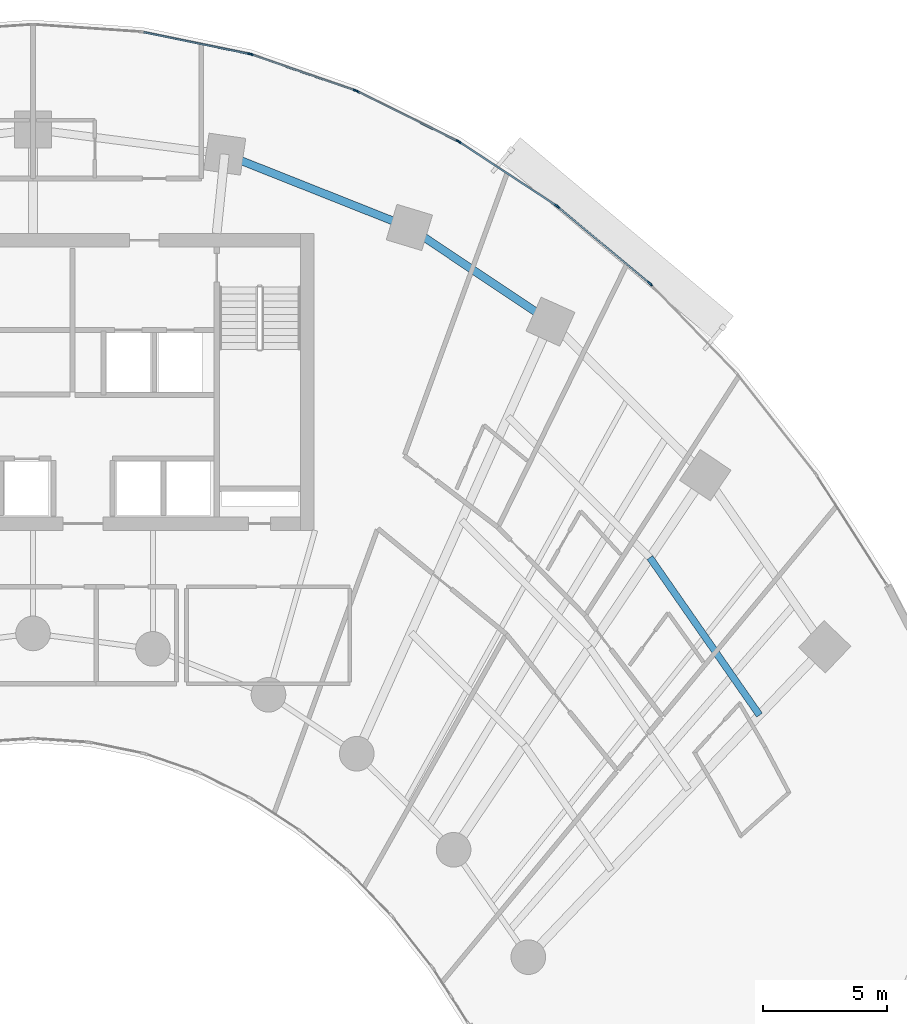
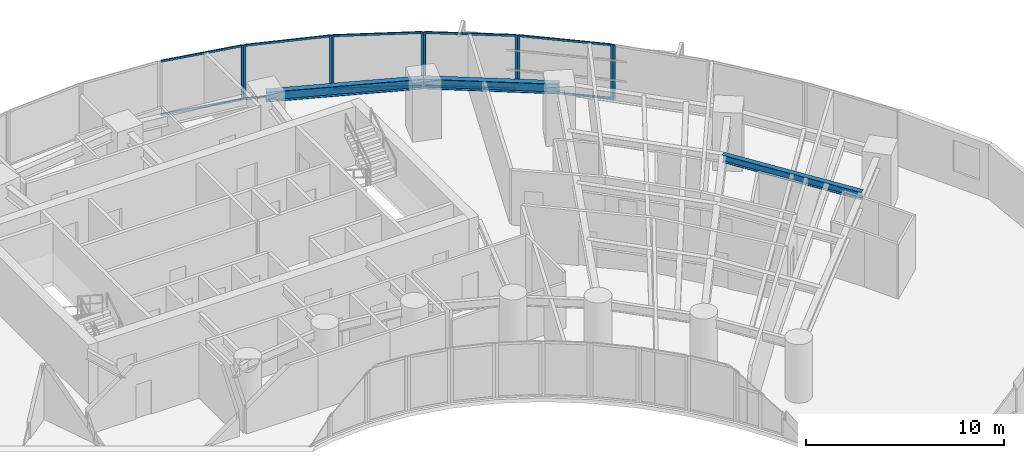
# One storey, part 7 of 17: 20 members, 3 beams, 6 elements without a shape of their own.
"""IFC4 building model written with IfcOpenShell, lengths in metres."""

from ifc_helpers import new_model, si_unit, direction, frame, origin, origin_2d, place, context, subcontext, project, spatial, rectangle, i_section, extrude, source, transform, mapped, material, layer, layer_set, material_profile, profile_set, type_object, type_shapes, element, aggregate, save


model = new_model("IFC4")

# Units and contexts
model_context = context("Model", 3, precision=1e-05, world=origin(), true_north=direction((0.0, 1.0)))
body_context = subcontext(model_context, "Body", "Model", "MODEL_VIEW")
ifc_project = project(units=[si_unit("LENGTHUNIT", "METRE"), si_unit("AREAUNIT", "SQUARE_METRE"), si_unit("VOLUMEUNIT", "CUBIC_METRE"), si_unit("PLANEANGLEUNIT", "RADIAN"), si_unit("MASSUNIT", "GRAM", prefix="KILO")], contexts=[model_context])

# Site, building, storey
site_placement = place(None, origin())
site = spatial("IfcSite", under=ifc_project, at=site_placement, CompositionType="ELEMENT")
building_placement = place(site_placement, origin())
building = spatial("IfcBuilding", under=site, at=building_placement, Name="Breltana Convention Tower", CompositionType="ELEMENT")
storey_placement = place(building_placement, frame((0.0, 0.0, 64.199951171875)))
storey = spatial("IfcBuildingStorey", under=building, at=storey_placement, Name="L14", CompositionType="ELEMENT", Elevation=64.199951171875)

# Beams
ifc_material_1 = material(Name="Steel ASTM A992 Grade 50", Category="steel")
ifc_material_profile_1 = material_profile(ifc_material_1, i_section(OverallWidth=0.323974609375, OverallDepth=0.611083984375, WebThickness=0.0126953125, FlangeThickness=0.01904296875, at=origin_2d()), Name="W24X104")
ifc_profile_set_1 = profile_set([ifc_material_profile_1], Name="Steel ASTM A992 Grade 50")
beam_type_1 = type_object("IfcBeamType", Name="BM-SP-W24X104", PredefinedType="SPANDREL", material=ifc_profile_set_1)
shared_shape_1 = source(origin(), body_context, "Body", "SweptSolid", [
    extrude(i_section(OverallWidth=0.323974609375, OverallDepth=0.611083984375, WebThickness=0.0126953125, FlangeThickness=0.01904296875, at=origin_2d()), origin(), (0.0, 0.0, 1.0), 8.028564453125),
])
beam_1_placement = place(storey_placement, frame((55.746826171875, 75.404296875, 3.054443359375), z_axis=(0.929459100394, -0.368925169507, 0.0), x_axis=(0.368925169507, 0.929459100394, 0.0)))
element("IfcBeam", 1, at=beam_1_placement, inside=storey, type_object=beam_type_1, Name="L14 Outer Spandrel Beam 07", PredefinedType="SPANDREL", context=body_context, shape_type="MappedRepresentation", body=[
    mapped(shared_shape_1, transform((0.0, 0.0, 0.0), scale=1.0)),
])
shared_shape_2 = source(origin(), body_context, "Body", "SweptSolid", [
    extrude(i_section(OverallWidth=0.323974609375, OverallDepth=0.611083984375, WebThickness=0.0126953125, FlangeThickness=0.01904296875, at=origin_2d()), origin(), (0.0, 0.0, 1.0), 6.856689453125),
])
beam_2_placement = place(storey_placement, frame((63.208984375, 72.4423828125, 3.054443359375), z_axis=(0.83150210718, -0.55552159792, 0.0), x_axis=(0.55552159792, 0.83150210718, 0.0)))
element("IfcBeam", 2, at=beam_2_placement, inside=storey, type_object=beam_type_1, Name="L14 Outer Spandrel Beam 08", PredefinedType="SPANDREL", context=body_context, shape_type="MappedRepresentation", body=[
    mapped(shared_shape_2, transform((0.0, 0.0, 0.0), scale=1.0)),
])
ifc_material_profile_2 = material_profile(ifc_material_1, i_section(OverallWidth=0.280029296875, OverallDepth=0.462890625, WebThickness=0.0107421875, FlangeThickness=0.017333984375, at=origin_2d()), Name="W18X76")
ifc_profile_set_2 = profile_set([ifc_material_profile_2], Name="Steel ASTM A992 Grade 50")
beam_type_2 = type_object("IfcBeamType", Name="BM-JSG-06", PredefinedType="JOIST", material=ifc_profile_set_2)
shared_shape_3 = source(origin(), body_context, "Body", "SweptSolid", [
    extrude(i_section(OverallWidth=0.280029296875, OverallDepth=0.462890625, WebThickness=0.0107421875, FlangeThickness=0.017333984375, at=origin_2d()), origin(), (0.0, 0.0, 1.0), 7.75390625),
])
beam_3_placement = place(storey_placement, frame((72.92919921875, 59.10009765625, 3.128662109375), z_axis=(0.57119271264, -0.820815987312, 0.0), x_axis=(0.820815987312, 0.57119271264, 0.0)))
element("IfcBeam", 3, at=beam_3_placement, inside=storey, type_object=beam_type_2, Name="L14 Composite Floor Joist 10.3", PredefinedType="JOIST", context=body_context, shape_type="MappedRepresentation", body=[
    mapped(shared_shape_3, transform((0.0, 0.0, 0.0), scale=1.0)),
])

# Curtain wall, member
ifc_material_2 = material(Name="Aluminium Anodised Bronze Frame", Category="aluminium")
ifc_layer = layer(ifc_material_2, 0.199951171875, Name="Aluminium Anodised Bronze Frame")
ifc_layer_set = layer_set([ifc_layer], Name="Aluminium Anodised Bronze Frame")
curtain_wall_type = type_object("IfcCurtainWallType", Name="CW-SYS-2", PredefinedType="NOTDEFINED", material=ifc_layer_set)
curtain_wall_1_placement = place(storey_placement, origin())
curtain_wall_1 = element("IfcCurtainWall", 4, at=curtain_wall_1_placement, inside=storey, type_object=curtain_wall_type, Name="L14 outer double-skin inner glazing 11", PredefinedType="NOTDEFINED")
ifc_material_3 = material(Name="Aluminium Anodised Bronze", Category="aluminium")
ifc_material_profile_3 = material_profile(ifc_material_3, rectangle(XDim=0.070068359375, YDim=0.175048828125, at=origin_2d()), Name="CWM-70X175")
ifc_profile_set_3 = profile_set([ifc_material_profile_3], Name="Aluminium Anodised Bronze")
member_type_1 = type_object("IfcMemberType", Name="CWM-175", PredefinedType="MULLION", material=ifc_profile_set_3)
shared_shape_4 = source(origin(), body_context, "Body", "SweptSolid", [
    extrude(rectangle(XDim=0.070068359375, YDim=0.175048828125, at=origin_2d()), origin(), (0.0, 0.0, 1.0), 3.360107421875),
])
type_shapes(member_type_1, [shared_shape_4])
member_1_placement = place(storey_placement, frame((56.7451171875, 79.45751953125, 0.0), z_axis=(0.0, 0.0, 1.0), x_axis=(0.200884537139, 0.979614925743, 0.0)))
member_1 = element("IfcMember", 5, at=member_1_placement, type_object=member_type_1, Name="CW-02 mullion 2", PredefinedType="MULLION", context=body_context, shape_type="MappedRepresentation", body=[
    mapped(shared_shape_4, transform((0.0, 0.0, 0.0), scale=1.0)),
])

# Curtain wall, members
curtain_wall_2_placement = place(storey_placement, origin())
curtain_wall_2 = element("IfcCurtainWall", 6, at=curtain_wall_2_placement, inside=storey, type_object=curtain_wall_type, Name="L14 outer double-skin inner glazing 12", PredefinedType="NOTDEFINED")
member_2_placement = place(storey_placement, frame((56.8125, 79.43896484375, 0.0), z_axis=(0.0, 0.0, 1.0), x_axis=(0.32742834581, 0.944876012163, 0.0)))
member_2 = element("IfcMember", 7, at=member_2_placement, type_object=member_type_1, Name="CW-02 mullion 1", PredefinedType="MULLION", context=body_context, shape_type="MappedRepresentation", body=[
    mapped(shared_shape_4, transform((0.0, 0.0, 0.0), scale=1.0)),
])
member_3_placement = place(storey_placement, frame((61.025146484375, 77.979248046875, 0.0), z_axis=(0.0, 0.0, 1.0), x_axis=(0.32742834581, 0.944876012163, 0.0)))
member_3 = element("IfcMember", 8, at=member_3_placement, type_object=member_type_1, Name="CW-02 mullion 2", PredefinedType="MULLION", context=body_context, shape_type="MappedRepresentation", body=[
    mapped(shared_shape_4, transform((0.0, 0.0, 0.0), scale=1.0)),
])

curtain_wall_3_placement = place(storey_placement, origin())
curtain_wall_3 = element("IfcCurtainWall", 9, at=curtain_wall_3_placement, inside=storey, type_object=curtain_wall_type, Name="L14 outer double-skin inner glazing 13", PredefinedType="NOTDEFINED")
member_4_placement = place(storey_placement, frame((61.089599609375, 77.9521484375, 0.0), z_axis=(0.0, 0.0, 1.0), x_axis=(0.444107703726, 0.895973407804, 0.0)))
member_4 = element("IfcMember", 10, at=member_4_placement, type_object=member_type_1, Name="CW-02 mullion 1", PredefinedType="MULLION", context=body_context, shape_type="MappedRepresentation", body=[
    mapped(shared_shape_4, transform((0.0, 0.0, 0.0), scale=1.0)),
])
member_5_placement = place(storey_placement, frame((65.1728515625, 75.92822265625, 0.0), z_axis=(0.0, 0.0, 1.0), x_axis=(0.444107703726, 0.895973407804, 0.0)))
member_5 = element("IfcMember", 11, at=member_5_placement, type_object=member_type_1, Name="CW-02 mullion 2", PredefinedType="MULLION", context=body_context, shape_type="MappedRepresentation", body=[
    mapped(shared_shape_4, transform((0.0, 0.0, 0.0), scale=1.0)),
])

curtain_wall_4_placement = place(storey_placement, origin())
curtain_wall_4 = element("IfcCurtainWall", 12, at=curtain_wall_4_placement, inside=storey, type_object=curtain_wall_type, Name="L14 outer double-skin inner glazing 14", PredefinedType="NOTDEFINED")
member_6_placement = place(storey_placement, frame((65.233642578125, 75.8935546875, 0.0), z_axis=(0.0, 0.0, 1.0), x_axis=(0.548784255746, 0.83596401875, 0.0)))
member_6 = element("IfcMember", 13, at=member_6_placement, type_object=member_type_1, Name="CW-02 mullion 1", PredefinedType="MULLION", context=body_context, shape_type="MappedRepresentation", body=[
    mapped(shared_shape_4, transform((0.0, 0.0, 0.0), scale=1.0)),
])
member_7_placement = place(storey_placement, frame((69.146484375, 73.32470703125, 0.0), z_axis=(0.0, 0.0, 1.0), x_axis=(0.548784255746, 0.83596401875, 0.0)))
member_7 = element("IfcMember", 14, at=member_7_placement, type_object=member_type_1, Name="CW-02 mullion 2", PredefinedType="MULLION", context=body_context, shape_type="MappedRepresentation", body=[
    mapped(shared_shape_4, transform((0.0, 0.0, 0.0), scale=1.0)),
])

curtain_wall_5_placement = place(storey_placement, origin())
curtain_wall_5 = element("IfcCurtainWall", 15, at=curtain_wall_5_placement, inside=storey, type_object=curtain_wall_type, Name="L14 outer double-skin inner glazing 15", PredefinedType="NOTDEFINED")
member_8_placement = place(storey_placement, frame((69.20263671875, 73.283203125, 0.0), z_axis=(0.0, 0.0, 1.0), x_axis=(0.640520193554, 0.767941326958, 0.0)))
member_8 = element("IfcMember", 16, at=member_8_placement, type_object=member_type_1, Name="CW-02 mullion 1", PredefinedType="MULLION", context=body_context, shape_type="MappedRepresentation", body=[
    mapped(shared_shape_4, transform((0.0, 0.0, 0.0), scale=1.0)),
])
member_9_placement = place(storey_placement, frame((72.90478515625, 70.1953125, 0.0), z_axis=(0.0, 0.0, 1.0), x_axis=(0.640520193554, 0.767941326958, 0.0)))
member_9 = element("IfcMember", 17, at=member_9_placement, type_object=member_type_1, Name="CW-02 mullion 2", PredefinedType="MULLION", context=body_context, shape_type="MappedRepresentation", body=[
    mapped(shared_shape_4, transform((0.0, 0.0, 0.0), scale=1.0)),
])

# Curtain wall, member
curtain_wall_6_placement = place(storey_placement, origin())
curtain_wall_6 = element("IfcCurtainWall", 18, at=curtain_wall_6_placement, inside=storey, type_object=curtain_wall_type, Name="L14 outer double-skin inner glazing 16", PredefinedType="NOTDEFINED")
member_10_placement = place(storey_placement, frame((72.955810546875, 70.147705078125, 0.0), z_axis=(0.0, 0.0, 1.0), x_axis=(0.719386421003, 0.694610090106, 0.0)))
member_10 = element("IfcMember", 19, at=member_10_placement, type_object=member_type_1, Name="CW-02 mullion 1", PredefinedType="MULLION", context=body_context, shape_type="MappedRepresentation", body=[
    mapped(shared_shape_4, transform((0.0, 0.0, 0.0), scale=1.0)),
])
aggregate(curtain_wall_6, [member_10])

# Member
ifc_material_profile_4 = material_profile(ifc_material_3, rectangle(XDim=0.070068359375, YDim=0.1201171875, at=origin_2d()), Name="CWT-70X120")
ifc_profile_set_4 = profile_set([ifc_material_profile_4], Name="Aluminium Anodised Bronze")
member_type_2 = type_object("IfcMemberType", Name="CWT-120", PredefinedType="USERDEFINED", material=ifc_profile_set_4)
shared_shape_5 = source(origin(), body_context, "Body", "SweptSolid", [
    extrude(rectangle(XDim=0.070068359375, YDim=0.1201171875, at=origin_2d()), origin(), (0.0, 0.0, 1.0), 4.7509765625),
])
member_11_placement = place(storey_placement, frame((69.2294921875, 73.2607421875, 0.03515625), z_axis=(0.767951631807, -0.64050783852, 0.0), x_axis=(0.64050783852, 0.767951631807, 0.0)))
member_11 = element("IfcMember", 20, at=member_11_placement, type_object=member_type_2, Name="CW-02 transom 1.1", ObjectType="TRANSOM", PredefinedType="USERDEFINED", context=body_context, shape_type="MappedRepresentation", body=[
    mapped(shared_shape_5, transform((0.0, 0.0, 0.0), scale=1.0)),
])

member_12_placement = place(storey_placement, frame((69.2294921875, 73.2607421875, 3.324951171875), z_axis=(0.767951631807, -0.64050783852, 0.0), x_axis=(0.64050783852, 0.767951631807, 0.0)))
member_12 = element("IfcMember", 21, at=member_12_placement, type_object=member_type_2, Name="CW-02 transom 1.2", ObjectType="TRANSOM", PredefinedType="USERDEFINED", context=body_context, shape_type="MappedRepresentation", body=[
    mapped(shared_shape_5, transform((0.0, 0.0, 0.0), scale=1.0)),
])

aggregate(curtain_wall_5, [member_8, member_9, member_11, member_12])

shared_shape_6 = source(origin(), body_context, "Body", "SweptSolid", [
    extrude(rectangle(XDim=0.070068359375, YDim=0.1201171875, at=origin_2d()), origin(), (0.0, 0.0, 1.0), 4.610595703125),
])
member_13_placement = place(storey_placement, frame((65.262939453125, 75.874267578125, 0.03515625), z_axis=(0.835956055104, -0.54879638659, 0.0), x_axis=(0.54879638659, 0.835956055104, 0.0)))
member_13 = element("IfcMember", 22, at=member_13_placement, type_object=member_type_2, Name="CW-02 transom 1.1", ObjectType="TRANSOM", PredefinedType="USERDEFINED", context=body_context, shape_type="MappedRepresentation", body=[
    mapped(shared_shape_6, transform((0.0, 0.0, 0.0), scale=1.0)),
])

member_14_placement = place(storey_placement, frame((65.262939453125, 75.874267578125, 3.324951171875), z_axis=(0.835956055104, -0.54879638659, 0.0), x_axis=(0.54879638659, 0.835956055104, 0.0)))
member_14 = element("IfcMember", 23, at=member_14_placement, type_object=member_type_2, Name="CW-02 transom 1.2", ObjectType="TRANSOM", PredefinedType="USERDEFINED", context=body_context, shape_type="MappedRepresentation", body=[
    mapped(shared_shape_6, transform((0.0, 0.0, 0.0), scale=1.0)),
])

aggregate(curtain_wall_4, [member_6, member_7, member_13, member_14])

shared_shape_7 = source(origin(), body_context, "Body", "SweptSolid", [
    extrude(rectangle(XDim=0.070068359375, YDim=0.1201171875, at=origin_2d()), origin(), (0.0, 0.0, 1.0), 4.487548828125),
])
member_15_placement = place(storey_placement, frame((61.120849609375, 77.936767578125, 0.03515625), z_axis=(0.895977728863, -0.444098986017, 0.0), x_axis=(0.444098986017, 0.895977728863, 0.0)))
member_15 = element("IfcMember", 24, at=member_15_placement, type_object=member_type_2, Name="CW-02 transom 1.1", ObjectType="TRANSOM", PredefinedType="USERDEFINED", context=body_context, shape_type="MappedRepresentation", body=[
    mapped(shared_shape_7, transform((0.0, 0.0, 0.0), scale=1.0)),
])

member_16_placement = place(storey_placement, frame((61.120849609375, 77.936767578125, 3.324951171875), z_axis=(0.895977728863, -0.444098986017, 0.0), x_axis=(0.444098986017, 0.895977728863, 0.0)))
member_16 = element("IfcMember", 25, at=member_16_placement, type_object=member_type_2, Name="CW-02 transom 1.2", ObjectType="TRANSOM", PredefinedType="USERDEFINED", context=body_context, shape_type="MappedRepresentation", body=[
    mapped(shared_shape_7, transform((0.0, 0.0, 0.0), scale=1.0)),
])

aggregate(curtain_wall_3, [member_4, member_5, member_15, member_16])

shared_shape_8 = source(origin(), body_context, "Body", "SweptSolid", [
    extrude(rectangle(XDim=0.070068359375, YDim=0.1201171875, at=origin_2d()), origin(), (0.0, 0.0, 1.0), 4.38818359375),
])
member_17_placement = place(storey_placement, frame((56.845703125, 79.427490234375, 0.03515625), z_axis=(0.944878203019, -0.32742202348, 0.0), x_axis=(0.32742202348, 0.944878203019, 0.0)))
member_17 = element("IfcMember", 26, at=member_17_placement, type_object=member_type_2, Name="CW-02 transom 1.1", ObjectType="TRANSOM", PredefinedType="USERDEFINED", context=body_context, shape_type="MappedRepresentation", body=[
    mapped(shared_shape_8, transform((0.0, 0.0, 0.0), scale=1.0)),
])

member_18_placement = place(storey_placement, frame((56.845703125, 79.427490234375, 3.324951171875), z_axis=(0.944878203019, -0.32742202348, 0.0), x_axis=(0.32742202348, 0.944878203019, 0.0)))
member_18 = element("IfcMember", 27, at=member_18_placement, type_object=member_type_2, Name="CW-02 transom 1.2", ObjectType="TRANSOM", PredefinedType="USERDEFINED", context=body_context, shape_type="MappedRepresentation", body=[
    mapped(shared_shape_8, transform((0.0, 0.0, 0.0), scale=1.0)),
])

aggregate(curtain_wall_2, [member_2, member_3, member_17, member_18])

shared_shape_9 = source(origin(), body_context, "Body", "SweptSolid", [
    extrude(rectangle(XDim=0.070068359375, YDim=0.1201171875, at=origin_2d()), origin(), (0.0, 0.0, 1.0), 4.318359375),
])
member_19_placement = place(storey_placement, frame((52.480712890625, 80.33203125, 0.03515625), z_axis=(0.979616680923, -0.200875977799, 0.0), x_axis=(0.200875977799, 0.979616680923, 0.0)))
member_19 = element("IfcMember", 28, at=member_19_placement, type_object=member_type_2, Name="CW-02 transom 1.1", ObjectType="TRANSOM", PredefinedType="USERDEFINED", context=body_context, shape_type="MappedRepresentation", body=[
    mapped(shared_shape_9, transform((0.0, 0.0, 0.0), scale=1.0)),
])

member_20_placement = place(storey_placement, frame((52.480712890625, 80.33203125, 3.324951171875), z_axis=(0.979616680923, -0.200875977799, 0.0), x_axis=(0.200875977799, 0.979616680923, 0.0)))
member_20 = element("IfcMember", 29, at=member_20_placement, type_object=member_type_2, Name="CW-02 transom 1.2", ObjectType="TRANSOM", PredefinedType="USERDEFINED", context=body_context, shape_type="MappedRepresentation", body=[
    mapped(shared_shape_9, transform((0.0, 0.0, 0.0), scale=1.0)),
])

aggregate(curtain_wall_1, [member_1, member_19, member_20])

save(model, "model.ifc")
